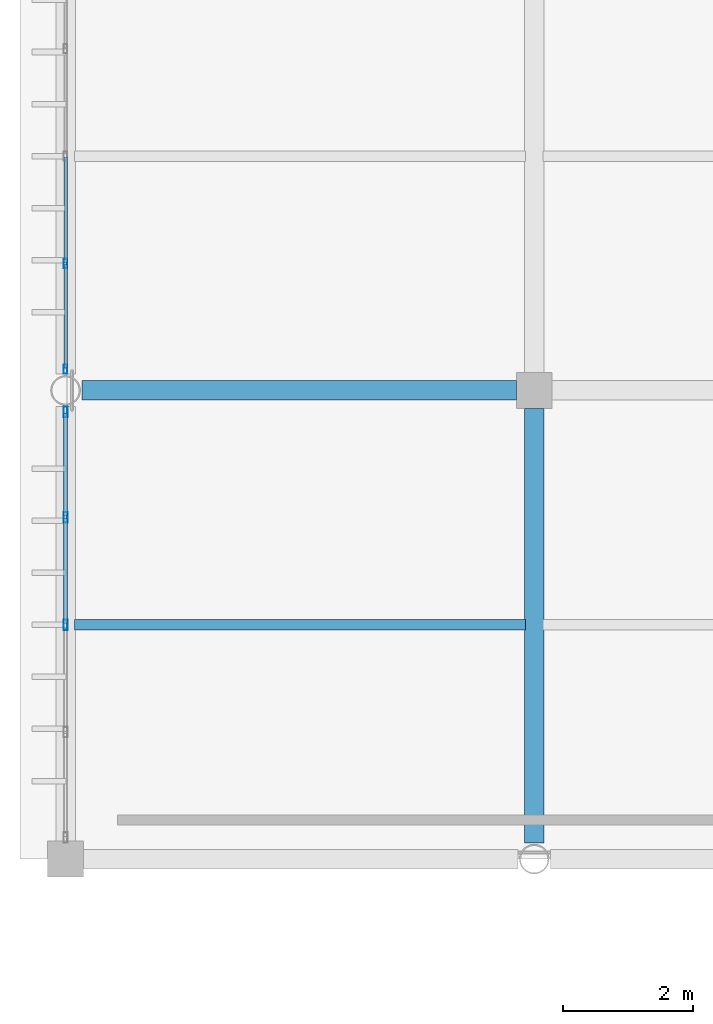
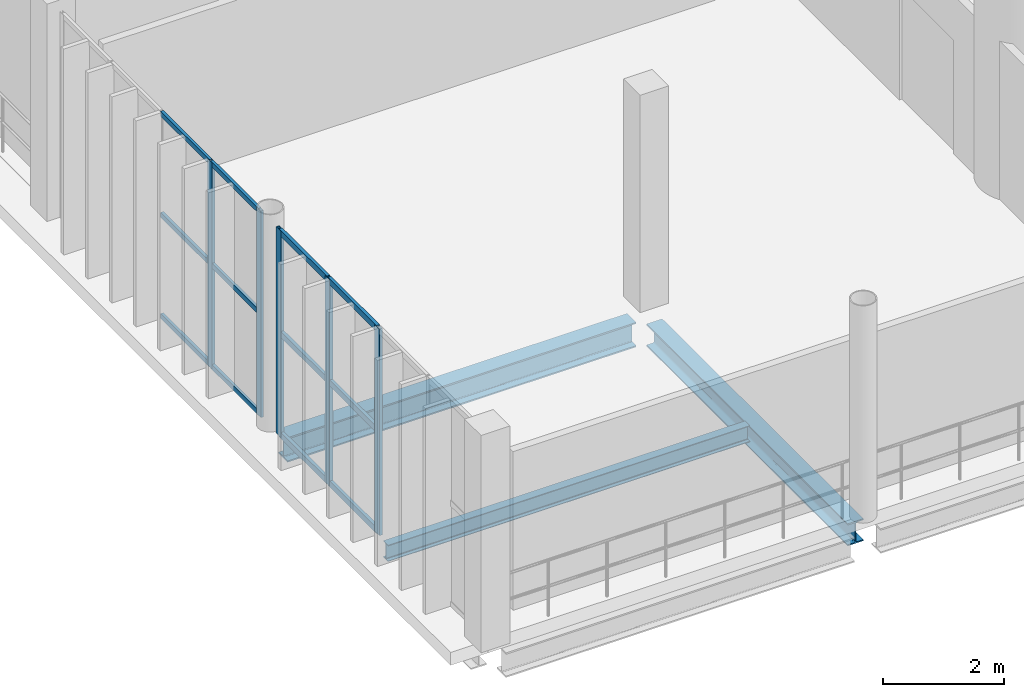
# One storey, part 15 of 81: 17 members, 3 beams, 2 elements without a shape of their own.
"""IFC4 building model written with IfcOpenShell, lengths in metres."""

import ifcopenshell
import ifcopenshell.guid

model = None  # the IFC model being written
_history = None  # IfcOwnerHistory: only IFC2X3 demands one
_inside = {}  # id of a spatial element -> (the spatial element, [elements in it])
_under = {}  # id of a project, library or spatial element -> (it, [spatial elements below it])
_declared = {}  # id of a project -> (the project, [libraries it declares])
_typed = {}  # id of a type object -> (the type object, [elements of that type])
_made_of = {}  # id of a material, layer set ... -> (it, [elements and type objects made of it])


def new_model(schema):
    """Start an empty IFC model of exactly this schema.

    Asked for "IFC4X3", IfcOpenShell would pick the latest addendum, in which some entities
    have other attributes; the version numbers below select the first issue.
    IFC2X3 requires an IfcOwnerHistory on every rooted entity: one is made here for all.
    """
    global model, _history
    if schema == "IFC4X3":
        model = ifcopenshell.file(schema_version=(4, 3, 0, 0))
    else:
        model = ifcopenshell.file(schema=schema)
    _inside.clear()
    _under.clear()
    _declared.clear()
    _typed.clear()
    _made_of.clear()
    _history = None
    if model.schema == "IFC2X3":
        org = make("IfcOrganization", Name="unknown")
        user = make(
            "IfcPersonAndOrganization",
            ThePerson=make("IfcPerson", FamilyName="unknown"),
            TheOrganization=org,
        )
        app = make(
            "IfcApplication",
            ApplicationDeveloper=org,
            Version="unknown",
            ApplicationFullName="unknown",
            ApplicationIdentifier="unknown",
        )
        _history = make(
            "IfcOwnerHistory",
            OwningUser=user,
            OwningApplication=app,
            ChangeAction="ADDED",
            CreationDate=0,
        )
    return model


def make(cls, **values):
    """One entity of the class cls with the attributes given. An attribute that is None is left unset."""
    return model.create_entity(
        cls, **{name: value for name, value in values.items() if value is not None}
    )


def rooted(cls, **values):
    """An entity with a GlobalId (a new one), such as an element, a storey or a relation."""
    return make(cls, GlobalId=ifcopenshell.guid.new(), OwnerHistory=_history, **values)


def si_unit(unit_type, name, prefix=None):
    """IfcSIUnit, for example si_unit("LENGTHUNIT", "METRE", prefix="MILLI")."""
    return make("IfcSIUnit", UnitType=unit_type, Prefix=prefix, Name=name)


def assignment(units):
    """IfcUnitAssignment: the units of a project."""
    return None if units is None else make("IfcUnitAssignment", Units=units)


def point(xyz):
    """IfcCartesianPoint."""
    return None if xyz is None else make("IfcCartesianPoint", Coordinates=xyz)


def direction(xyz):
    """IfcDirection."""
    return None if xyz is None else make("IfcDirection", DirectionRatios=xyz)


def frame(location, z_axis=None, x_axis=None):
    """IfcAxis2Placement3D, a coordinate frame: its origin and axes. An axis left out is left unset."""
    return make(
        "IfcAxis2Placement3D",
        Location=point(location),
        Axis=direction(z_axis),
        RefDirection=direction(x_axis),
    )


def frame_2d(location, x_axis=None):
    """IfcAxis2Placement2D, a coordinate frame in the plane: its origin and x axis."""
    return make(
        "IfcAxis2Placement2D", Location=point(location), RefDirection=direction(x_axis)
    )


def origin():
    """The frame at (0, 0, 0) with its axes left unset."""
    return frame((0.0, 0.0, 0.0))


def origin_2d():
    """The frame at (0, 0) in the plane with its x axis left unset."""
    return frame_2d((0.0, 0.0))


def place(relative_to, where):
    """IfcLocalPlacement: puts the frame where relative to a parent placement (None: the world)."""
    return make(
        "IfcLocalPlacement", PlacementRelTo=relative_to, RelativePlacement=where
    )


def context(
    kind, dimensions, precision=None, world=None, true_north=None, identifier=None
):
    """IfcGeometricRepresentationContext, for example the 3D "Model" context."""
    return make(
        "IfcGeometricRepresentationContext",
        ContextIdentifier=identifier,
        ContextType=kind,
        CoordinateSpaceDimension=dimensions,
        Precision=precision,
        WorldCoordinateSystem=world,
        TrueNorth=true_north,
    )


def subcontext(parent, identifier, kind, view, scale=None):
    """IfcGeometricRepresentationSubContext, for example "Body" below "Model"."""
    return make(
        "IfcGeometricRepresentationSubContext",
        ContextIdentifier=identifier,
        ContextType=kind,
        ParentContext=parent,
        TargetScale=scale,
        TargetView=view,
    )


def project(units=None, contexts=None):
    """IfcProject with its units and contexts."""
    return rooted(
        "IfcProject",
        Name="project",
        RepresentationContexts=contexts,
        UnitsInContext=assignment(units),
    )


def spatial(cls, under=None, at=None, **own):
    """A site, building, storey or space (cls), placed at a placement, below another one or the project."""
    s = rooted(cls, ObjectPlacement=at, **own)
    if under is not None:
        _under.setdefault(under.id(), (under, []))[1].append(s)
    return s


def profile(cls, at=None, kind="AREA", **sizes):
    """A parametric profile (cls). Its sizes go by their IFC names, for example OverallWidth=200.0."""
    return make(cls, ProfileType=kind, Position=at, **sizes)


def hollow_rectangle(**sizes):
    """IfcRectangleHollowProfileDef."""
    return profile("IfcRectangleHollowProfileDef", **sizes)


def i_section(**sizes):
    """IfcIShapeProfileDef."""
    return profile("IfcIShapeProfileDef", **sizes)


def extrude(swept, where, along, depth):
    """IfcExtrudedAreaSolid: the profile swept, set in the frame where, extruded along a direction by depth."""
    return make(
        "IfcExtrudedAreaSolid",
        SweptArea=swept,
        Position=where,
        ExtrudedDirection=direction(along),
        Depth=depth,
    )


def shape(context_of_items, identifier, shape_type, items):
    """IfcShapeRepresentation: the items that make up one representation, for example the "Body"."""
    return make(
        "IfcShapeRepresentation",
        ContextOfItems=context_of_items,
        RepresentationIdentifier=identifier,
        RepresentationType=shape_type,
        Items=items,
    )


def material(Name=None, Category=None):
    """IfcMaterial."""
    return make("IfcMaterial", Name=Name, Category=Category)


def material_profile(
    of_material, cross_section, Name=None, Category=None, Priority=None
):
    """IfcMaterialProfile: a cross section and its material."""
    return make(
        "IfcMaterialProfile",
        Name=Name,
        Material=of_material,
        Profile=cross_section,
        Priority=Priority,
        Category=Category,
    )


def profile_set(profiles, Name=None, composite=None):
    """IfcMaterialProfileSet."""
    return make(
        "IfcMaterialProfileSet",
        Name=Name,
        MaterialProfiles=profiles,
        CompositeProfile=composite,
    )


def made_of(thing, what):
    """Note that an element or type object is made of a material, layer set ...; save() writes the relation."""
    if what is not None:
        _made_of.setdefault(what.id(), (what, []))[1].append(thing)
    return thing


def type_object(cls, material=None, **own):
    """A type object (cls), such as IfcWallType, which elements share."""
    return made_of(rooted(cls, **own), material)


def element(
    cls,
    number,
    at=None,
    inside=None,
    cuts=None,
    type_object=None,
    material=None,
    context=None,
    identifier="Body",
    shape_type=None,
    held_by="IfcProductDefinitionShape",
    body=None,
    shapes=None,
    **own,
):
    """One element of the class cls, such as IfcWall. Its Tag is "e" and its number.

    at: its placement. inside: the storey or other place that contains it. cuts: it is an
    opening in that element (IfcRelVoidsElement). A single representation is given by context,
    identifier, shape_type and body (its items); several are given by shapes. held_by: the class
    of the entity that holds the representations. save() writes the other relations.
    """
    e = rooted(cls, Tag="e%d" % number, ObjectPlacement=at, **own)
    if body is not None:
        shapes = [shape(context, identifier, shape_type, body)]
    if shapes is not None:
        e.Representation = make(held_by, Representations=shapes)
    if inside is not None:
        _inside.setdefault(inside.id(), (inside, []))[1].append(e)
    if cuts is not None:
        rooted(
            "IfcRelVoidsElement", RelatingBuildingElement=cuts, RelatedOpeningElement=e
        )
    if type_object is not None:
        _typed.setdefault(type_object.id(), (type_object, []))[1].append(e)
    return made_of(e, material)


def aggregate(whole, parts):
    """IfcRelAggregates: a whole, such as a stair, and the parts it consists of."""
    return rooted("IfcRelAggregates", RelatingObject=whole, RelatedObjects=parts)


def save(model, path):
    """Write the relations noted so far, then the file.

    IfcRelAggregates (storeys below a building ...), IfcRelContainedInSpatialStructure (elements
    in a storey), IfcRelDefinesByType, IfcRelAssociatesMaterial and IfcRelDeclares: one each for
    every whole, place, type object, material and project.
    """
    for whole, parts in _under.values():
        aggregate(whole, parts)
    for where, things in _inside.values():
        rooted(
            "IfcRelContainedInSpatialStructure",
            RelatedElements=things,
            RelatingStructure=where,
        )
    for kind, things in _typed.values():
        rooted("IfcRelDefinesByType", RelatedObjects=things, RelatingType=kind)
    for what, things in _made_of.values():
        rooted("IfcRelAssociatesMaterial", RelatedObjects=things, RelatingMaterial=what)
    for by, libraries in _declared.values():
        rooted("IfcRelDeclares", RelatingContext=by, RelatedDefinitions=libraries)
    model.write(path)


model = new_model("IFC4")

# Units and contexts
model_context = context("Model", 3, precision=1e-05, world=origin(), true_north=direction((0.0, 1.0)))
body_context = subcontext(model_context, "Body", "Model", "MODEL_VIEW")
ifc_project = project(units=[si_unit("LENGTHUNIT", "METRE"), si_unit("AREAUNIT", "SQUARE_METRE"), si_unit("VOLUMEUNIT", "CUBIC_METRE"), si_unit("PLANEANGLEUNIT", "RADIAN"), si_unit("MASSUNIT", "GRAM", prefix="KILO")], contexts=[model_context])

# Site, building, storey
site_placement = place(None, origin())
site = spatial("IfcSite", under=ifc_project, at=site_placement, CompositionType="ELEMENT")
building_placement = place(site_placement, origin())
building = spatial("IfcBuilding", under=site, at=building_placement, Name="Qandorah Velis Arena", CompositionType="ELEMENT")
storey_placement = place(building_placement, frame((0.0, 0.0, 18.60009765625)))
storey = spatial("IfcBuildingStorey", under=building, at=storey_placement, Name="L04", CompositionType="ELEMENT", Elevation=18.60009765625)

# Curtain wall, members
ifc_material_1 = material(Name="Solar-control low-E double glazing", Category="glass")
curtain_wall_type_1 = type_object("IfcCurtainWallType", Name="ARC-CW-SYS08", PredefinedType="USERDEFINED", material=ifc_material_1)
curtain_wall_1_placement = place(storey_placement, origin())
curtain_wall_1 = element("IfcCurtainWall", 1, at=curtain_wall_1_placement, inside=storey, type_object=curtain_wall_type_1, Name="Unitised curtain wall L04-032", ObjectType="UNITISED CURTAIN WALL", PredefinedType="USERDEFINED")
ifc_material_2 = material(Name="Champagne-bronze anodized aluminium 6063-T6", Category="aluminium")
ifc_material_profile_1 = material_profile(ifc_material_2, hollow_rectangle(XDim=0.054931640625, YDim=0.139892578125, WallThickness=0.0029296875, at=origin_2d()), Name="ALU MULLION 55x140")
ifc_profile_set_1 = profile_set([ifc_material_profile_1], Name="Champagne-bronze anodized aluminium 6063-T6")
member_type_1 = type_object("IfcMemberType", Name="ARC-CWM-140", PredefinedType="MULLION", material=ifc_profile_set_1)
member_1_placement = place(storey_placement, frame((0.0, 29.12744140625, -0.01513671875), z_axis=(0.0, 0.0, 1.0), x_axis=(-1.0, 0.0, 0.0)))
member_1 = element("IfcMember", 2, at=member_1_placement, type_object=member_type_1, Name="CW08 mullion 1", PredefinedType="MULLION", context=body_context, shape_type="SweptSolid", body=[
    extrude(hollow_rectangle(XDim=0.054931640625, YDim=0.139892578125, WallThickness=0.0029296875, at=origin_2d()), origin(), (0.0, 0.0, 1.0), 4.179931640625),
])
member_2_placement = place(storey_placement, frame((0.0, 30.75, -0.01513671875), z_axis=(0.0, 0.0, 1.0), x_axis=(-1.0, 0.0, 0.0)))
member_2 = element("IfcMember", 3, at=member_2_placement, type_object=member_type_1, Name="CW08 mullion 2", PredefinedType="MULLION", context=body_context, shape_type="SweptSolid", body=[
    extrude(hollow_rectangle(XDim=0.054931640625, YDim=0.139892578125, WallThickness=0.0029296875, at=origin_2d()), origin(), (0.0, 0.0, 1.0), 4.179931640625),
])

curtain_wall_type_2 = type_object("IfcCurtainWallType", Name="ARC-CW-SYS07", PredefinedType="USERDEFINED", material=ifc_material_1)
curtain_wall_2_placement = place(storey_placement, origin())
curtain_wall_2 = element("IfcCurtainWall", 4, at=curtain_wall_2_placement, inside=storey, type_object=curtain_wall_type_2, Name="Unitised curtain wall L04-031", ObjectType="UNITISED CURTAIN WALL", PredefinedType="USERDEFINED")
ifc_material_profile_2 = material_profile(ifc_material_2, hollow_rectangle(XDim=0.06005859375, YDim=0.159912109375, WallThickness=0.00341796875, at=origin_2d()), Name="ALU MULLION 60x160")
ifc_profile_set_2 = profile_set([ifc_material_profile_2], Name="Champagne-bronze anodized aluminium 6063-T6")
member_type_2 = type_object("IfcMemberType", Name="ARC-CWM-160", PredefinedType="MULLION", material=ifc_profile_set_2)
member_3_placement = place(storey_placement, frame((0.0, 25.199951171875, -0.01513671875), z_axis=(0.0, 0.0, 1.0), x_axis=(-1.0, 0.0, 0.0)))
member_3 = element("IfcMember", 5, at=member_3_placement, type_object=member_type_2, Name="CW07 mullion 3", PredefinedType="MULLION", context=body_context, shape_type="SweptSolid", body=[
    extrude(hollow_rectangle(XDim=0.06005859375, YDim=0.159912109375, WallThickness=0.00341796875, at=origin_2d()), origin(), (0.0, 0.0, 1.0), 4.179931640625),
])
member_4_placement = place(storey_placement, frame((0.0, 26.85009765625, -0.01513671875), z_axis=(0.0, 0.0, 1.0), x_axis=(-1.0, 0.0, 0.0)))
member_4 = element("IfcMember", 6, at=member_4_placement, type_object=member_type_2, Name="CW07 mullion 4", PredefinedType="MULLION", context=body_context, shape_type="SweptSolid", body=[
    extrude(hollow_rectangle(XDim=0.06005859375, YDim=0.159912109375, WallThickness=0.00341796875, at=origin_2d()), origin(), (0.0, 0.0, 1.0), 4.179931640625),
])
member_5_placement = place(storey_placement, frame((0.0, 28.469970703125, -0.01513671875), z_axis=(0.0, 0.0, 1.0), x_axis=(-1.0, 0.0, 0.0)))
member_5 = element("IfcMember", 7, at=member_5_placement, type_object=member_type_2, Name="CW07 mullion 5", PredefinedType="MULLION", context=body_context, shape_type="SweptSolid", body=[
    extrude(hollow_rectangle(XDim=0.06005859375, YDim=0.159912109375, WallThickness=0.00341796875, at=origin_2d()), origin(), (0.0, 0.0, 1.0), 4.179931640625),
])

# Member
ifc_material_profile_3 = material_profile(ifc_material_2, hollow_rectangle(XDim=0.054931640625, YDim=0.10009765625, WallThickness=0.0029296875, at=origin_2d()), Name="ALU TRANSOM 55x100")
ifc_profile_set_3 = profile_set([ifc_material_profile_3], Name="Champagne-bronze anodized aluminium 6063-T6")
member_type_3 = type_object("IfcMemberType", Name="ARC-CWT-100", PredefinedType="USERDEFINED", material=ifc_profile_set_3)
member_6_placement = place(storey_placement, frame((0.0, 29.14306640625, 0.02734375), z_axis=(0.0, 1.0, 0.0), x_axis=(-1.0, 0.0, 0.0)))
member_6 = element("IfcMember", 8, at=member_6_placement, type_object=member_type_3, Name="CW08 transom 1.1", ObjectType="TRANSOM", PredefinedType="USERDEFINED", context=body_context, shape_type="SweptSolid", body=[
    extrude(hollow_rectangle(XDim=0.054931640625, YDim=0.10009765625, WallThickness=0.0029296875, at=origin_2d()), origin(), (0.0, 0.0, 1.0), 1.591552734375),
])

member_7_placement = place(storey_placement, frame((0.0, 29.14306640625, 2.074951171875), z_axis=(0.0, 1.0, 0.0), x_axis=(-1.0, 0.0, 0.0)))
member_7 = element("IfcMember", 9, at=member_7_placement, type_object=member_type_3, Name="CW08 transom 1.2", ObjectType="TRANSOM", PredefinedType="USERDEFINED", context=body_context, shape_type="SweptSolid", body=[
    extrude(hollow_rectangle(XDim=0.054931640625, YDim=0.10009765625, WallThickness=0.0029296875, at=origin_2d()), origin(), (0.0, 0.0, 1.0), 1.591552734375),
])

member_8_placement = place(storey_placement, frame((0.0, 29.14306640625, 4.122314453125), z_axis=(0.0, 1.0, 0.0), x_axis=(-1.0, 0.0, 0.0)))
member_8 = element("IfcMember", 10, at=member_8_placement, type_object=member_type_3, Name="CW08 transom 1.3", ObjectType="TRANSOM", PredefinedType="USERDEFINED", context=body_context, shape_type="SweptSolid", body=[
    extrude(hollow_rectangle(XDim=0.054931640625, YDim=0.10009765625, WallThickness=0.0029296875, at=origin_2d()), origin(), (0.0, 0.0, 1.0), 1.591552734375),
])

member_9_placement = place(storey_placement, frame((0.0, 30.765380859375, 0.02734375), z_axis=(0.0, 1.0, 0.0), x_axis=(-1.0, 0.0, 0.0)))
member_9 = element("IfcMember", 11, at=member_9_placement, type_object=member_type_3, Name="CW08 transom 2.1", ObjectType="TRANSOM", PredefinedType="USERDEFINED", context=body_context, shape_type="SweptSolid", body=[
    extrude(hollow_rectangle(XDim=0.054931640625, YDim=0.10009765625, WallThickness=0.0029296875, at=origin_2d()), origin(), (0.0, 0.0, 1.0), 1.619140625),
])

member_10_placement = place(storey_placement, frame((0.0, 30.765380859375, 2.074951171875), z_axis=(0.0, 1.0, 0.0), x_axis=(-1.0, 0.0, 0.0)))
member_10 = element("IfcMember", 12, at=member_10_placement, type_object=member_type_3, Name="CW08 transom 2.2", ObjectType="TRANSOM", PredefinedType="USERDEFINED", context=body_context, shape_type="SweptSolid", body=[
    extrude(hollow_rectangle(XDim=0.054931640625, YDim=0.10009765625, WallThickness=0.0029296875, at=origin_2d()), origin(), (0.0, 0.0, 1.0), 1.619140625),
])

member_11_placement = place(storey_placement, frame((0.0, 30.765380859375, 4.122314453125), z_axis=(0.0, 1.0, 0.0), x_axis=(-1.0, 0.0, 0.0)))
member_11 = element("IfcMember", 13, at=member_11_placement, type_object=member_type_3, Name="CW08 transom 2.3", ObjectType="TRANSOM", PredefinedType="USERDEFINED", context=body_context, shape_type="SweptSolid", body=[
    extrude(hollow_rectangle(XDim=0.054931640625, YDim=0.10009765625, WallThickness=0.0029296875, at=origin_2d()), origin(), (0.0, 0.0, 1.0), 1.619140625),
])

aggregate(curtain_wall_1, [member_1, member_2, member_6, member_7, member_8, member_9, member_10, member_11])

ifc_material_profile_4 = material_profile(ifc_material_2, hollow_rectangle(XDim=0.06005859375, YDim=0.1201171875, WallThickness=0.0029296875, at=origin_2d()), Name="ALU TRANSOM 60x120")
ifc_profile_set_4 = profile_set([ifc_material_profile_4], Name="Champagne-bronze anodized aluminium 6063-T6")
member_type_4 = type_object("IfcMemberType", Name="ARC-CWT-120", PredefinedType="USERDEFINED", material=ifc_profile_set_4)
member_12_placement = place(storey_placement, frame((0.0, 25.218017578125, 0.02978515625), z_axis=(0.0, 1.0, 0.0), x_axis=(-1.0, 0.0, 0.0)))
member_12 = element("IfcMember", 14, at=member_12_placement, type_object=member_type_4, Name="CW07 transom 3.1", ObjectType="TRANSOM", PredefinedType="USERDEFINED", context=body_context, shape_type="SweptSolid", body=[
    extrude(hollow_rectangle(XDim=0.06005859375, YDim=0.1201171875, WallThickness=0.0029296875, at=origin_2d()), origin(), (0.0, 0.0, 1.0), 1.614013671875),
])

member_13_placement = place(storey_placement, frame((0.0, 25.218017578125, 2.074951171875), z_axis=(0.0, 1.0, 0.0), x_axis=(-1.0, 0.0, 0.0)))
member_13 = element("IfcMember", 15, at=member_13_placement, type_object=member_type_4, Name="CW07 transom 3.2", ObjectType="TRANSOM", PredefinedType="USERDEFINED", context=body_context, shape_type="SweptSolid", body=[
    extrude(hollow_rectangle(XDim=0.06005859375, YDim=0.1201171875, WallThickness=0.0029296875, at=origin_2d()), origin(), (0.0, 0.0, 1.0), 1.614013671875),
])

member_14_placement = place(storey_placement, frame((0.0, 25.218017578125, 4.119873046875), z_axis=(0.0, 1.0, 0.0), x_axis=(-1.0, 0.0, 0.0)))
member_14 = element("IfcMember", 16, at=member_14_placement, type_object=member_type_4, Name="CW07 transom 3.3", ObjectType="TRANSOM", PredefinedType="USERDEFINED", context=body_context, shape_type="SweptSolid", body=[
    extrude(hollow_rectangle(XDim=0.06005859375, YDim=0.1201171875, WallThickness=0.0029296875, at=origin_2d()), origin(), (0.0, 0.0, 1.0), 1.614013671875),
])

member_15_placement = place(storey_placement, frame((0.0, 26.867919921875, 0.02978515625), z_axis=(0.0, 1.0, 0.0), x_axis=(-1.0, 0.0, 0.0)))
member_15 = element("IfcMember", 17, at=member_15_placement, type_object=member_type_4, Name="CW07 transom 4.1", ObjectType="TRANSOM", PredefinedType="USERDEFINED", context=body_context, shape_type="SweptSolid", body=[
    extrude(hollow_rectangle(XDim=0.06005859375, YDim=0.1201171875, WallThickness=0.0029296875, at=origin_2d()), origin(), (0.0, 0.0, 1.0), 1.583984375),
])

member_16_placement = place(storey_placement, frame((0.0, 26.867919921875, 2.074951171875), z_axis=(0.0, 1.0, 0.0), x_axis=(-1.0, 0.0, 0.0)))
member_16 = element("IfcMember", 18, at=member_16_placement, type_object=member_type_4, Name="CW07 transom 4.2", ObjectType="TRANSOM", PredefinedType="USERDEFINED", context=body_context, shape_type="SweptSolid", body=[
    extrude(hollow_rectangle(XDim=0.06005859375, YDim=0.1201171875, WallThickness=0.0029296875, at=origin_2d()), origin(), (0.0, 0.0, 1.0), 1.583984375),
])

member_17_placement = place(storey_placement, frame((0.0, 26.867919921875, 4.119873046875), z_axis=(0.0, 1.0, 0.0), x_axis=(-1.0, 0.0, 0.0)))
member_17 = element("IfcMember", 19, at=member_17_placement, type_object=member_type_4, Name="CW07 transom 4.3", ObjectType="TRANSOM", PredefinedType="USERDEFINED", context=body_context, shape_type="SweptSolid", body=[
    extrude(hollow_rectangle(XDim=0.06005859375, YDim=0.1201171875, WallThickness=0.0029296875, at=origin_2d()), origin(), (0.0, 0.0, 1.0), 1.583984375),
])

aggregate(curtain_wall_2, [member_3, member_4, member_5, member_12, member_13, member_14, member_15, member_16, member_17])

# Beams
ifc_material_3 = material(Name="Steel S355", Category="steel")
ifc_material_profile_5 = material_profile(ifc_material_3, i_section(OverallWidth=0.300048828125, OverallDepth=0.449951171875, WebThickness=0.013916015625, FlangeThickness=0.02587890625, FilletRadius=0.027099609375, at=origin_2d()), Name="HEB 450")
ifc_profile_set_5 = profile_set([ifc_material_profile_5], Name="Steel S355")
beam_type_1 = type_object("IfcBeamType", Name="STR-BM-HEB450", PredefinedType="BEAM", material=ifc_profile_set_5)
beam_1_placement = place(storey_placement, frame((7.199951171875, 21.85009765625, -0.4951171875), z_axis=(0.0, 1.0, 0.0), x_axis=(-1.0, 0.0, 0.0)))
element("IfcBeam", 20, at=beam_1_placement, inside=storey, type_object=beam_type_1, Name="Primary floor girder L04 Y-158", PredefinedType="BEAM", context=body_context, shape_type="SweptSolid", body=[
    extrude(i_section(OverallWidth=0.300048828125, OverallDepth=0.449951171875, WebThickness=0.013916015625, FlangeThickness=0.02587890625, FilletRadius=0.027099609375, at=origin_2d()), origin(), (0.0, 0.0, 1.0), 6.6748046875),
])
ifc_material_profile_6 = material_profile(ifc_material_3, i_section(OverallWidth=0.300048828125, OverallDepth=0.5, WebThickness=0.014404296875, FlangeThickness=0.028076171875, FilletRadius=0.027099609375, at=origin_2d()), Name="HEB 500")
ifc_profile_set_6 = profile_set([ifc_material_profile_6], Name="Steel S355")
beam_type_2 = type_object("IfcBeamType", Name="STR-BM-HEB500", PredefinedType="BEAM", material=ifc_profile_set_6)
beam_2_placement = place(storey_placement, frame((0.25, 28.800048828125, -0.52001953125), z_axis=(1.0, 0.0, 0.0), x_axis=(0.0, 1.0, 0.0)))
element("IfcBeam", 21, at=beam_2_placement, inside=storey, type_object=beam_type_2, Name="Primary floor girder L04 X-047", PredefinedType="BEAM", context=body_context, shape_type="SweptSolid", body=[
    extrude(i_section(OverallWidth=0.300048828125, OverallDepth=0.5, WebThickness=0.014404296875, FlangeThickness=0.028076171875, FilletRadius=0.027099609375, at=origin_2d()), origin(), (0.0, 0.0, 1.0), 6.675048828125),
])
ifc_material_profile_7 = material_profile(ifc_material_3, i_section(OverallWidth=0.159912109375, OverallDepth=0.330078125, WebThickness=0.007568359375, FlangeThickness=0.011474609375, FilletRadius=0.01806640625, at=origin_2d()), Name="IPE 330")
ifc_profile_set_7 = profile_set([ifc_material_profile_7], Name="Steel S355")
beam_type_3 = type_object("IfcBeamType", Name="STR-JST-IPE330", PredefinedType="JOIST", material=ifc_profile_set_7)
beam_3_placement = place(storey_placement, frame((0.135009765625, 25.199951171875, -0.43505859375), z_axis=(1.0, 0.0, 0.0), x_axis=(0.0, 1.0, 0.0)))
element("IfcBeam", 22, at=beam_3_placement, inside=storey, type_object=beam_type_3, Name="Secondary floor joist L04-001", PredefinedType="JOIST", context=body_context, shape_type="SweptSolid", body=[
    extrude(i_section(OverallWidth=0.159912109375, OverallDepth=0.330078125, WebThickness=0.007568359375, FlangeThickness=0.011474609375, FilletRadius=0.01806640625, at=origin_2d()), origin(), (0.0, 0.0, 1.0), 6.929931640625),
])

save(model, "model.ifc")
